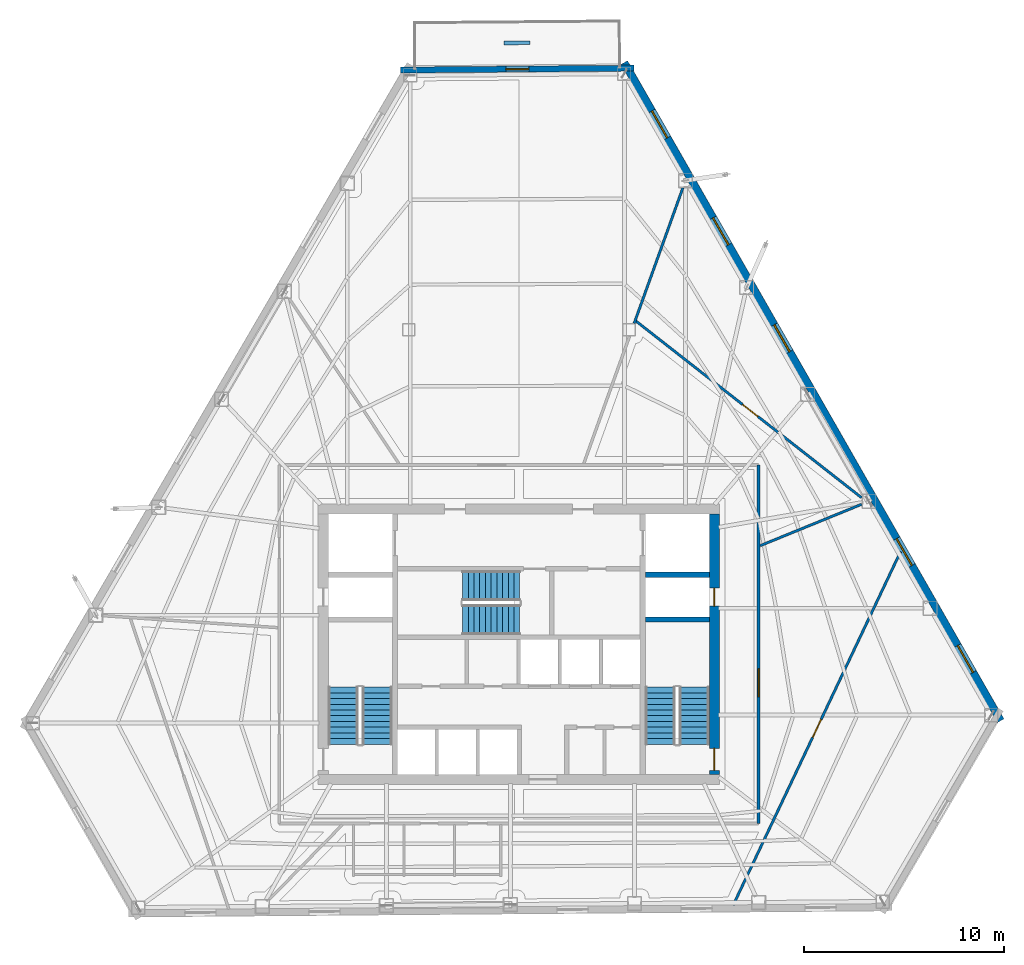
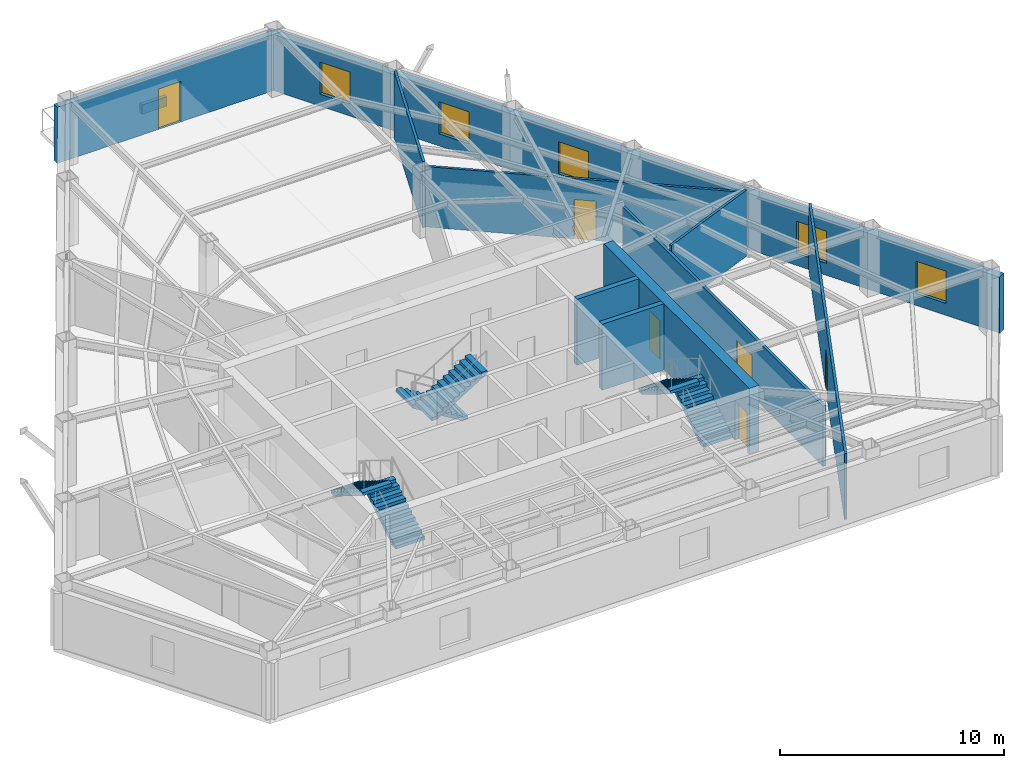
# One storey, part 10 of 12: 11 walls, 6 doors, 6 stair flights, 5 windows, 11 openings, 3 elements without a shape of their own.
"""IFC4 building model written with IfcOpenShell, lengths in metres."""

from ifc_helpers import new_model, si_unit, direction, frame, frame_2d, origin, place, context, subcontext, project, spatial, polyline, rectangle, outline, extrude, material, layer, layer_set, type_object, element, fill, aggregate, save


model = new_model("IFC4")

# Units and contexts
model_context = context("Model", 3, precision=1e-05, world=origin(), true_north=direction((0.0, 1.0)))
body_context = subcontext(model_context, "Body", "Model", "MODEL_VIEW")
ifc_project = project(units=[si_unit("LENGTHUNIT", "METRE"), si_unit("AREAUNIT", "SQUARE_METRE"), si_unit("VOLUMEUNIT", "CUBIC_METRE"), si_unit("PLANEANGLEUNIT", "RADIAN"), si_unit("MASSUNIT", "GRAM", prefix="KILO")], contexts=[model_context])

# Site, building, storey
site_placement = place(None, origin())
site = spatial("IfcSite", under=ifc_project, at=site_placement, CompositionType="ELEMENT")
building_placement = place(site_placement, origin())
building = spatial("IfcBuilding", under=site, at=building_placement, Name="Kavelnor Concourse Tower", CompositionType="ELEMENT")
storey_placement = place(building_placement, frame((0.0, 0.0, 147.10009765625)))
storey = spatial("IfcBuildingStorey", under=building, at=storey_placement, Name="L37", CompositionType="ELEMENT", Elevation=147.10009765625)

# Wall, openings, doors
ifc_material_1 = material(Name="Concrete C60/75", Category="concrete")
ifc_layer_1 = layer(ifc_material_1, 0.5, Name="Concrete C60/75")
ifc_layer_set_1 = layer_set([ifc_layer_1], Name="Concrete C60/75")
wall_type_1 = type_object("IfcWallType", Name="WL-CORE-Z2-500", PredefinedType="SOLIDWALL", material=ifc_layer_set_1)
wall_1_placement = place(storey_placement, frame((47.77001953125, 9.60009765625, 0.0), z_axis=(0.0, 0.0, 1.0), x_axis=(0.0, 1.0, 0.0)))
wall_1 = element("IfcWall", 1, at=wall_1_placement, inside=storey, type_object=wall_type_1, Name="L37 Central Core East Shear Wall", PredefinedType="SOLIDWALL", context=body_context, shape_type="SweptSolid", body=[
    extrude(rectangle(XDim=13.0, YDim=0.5, at=frame_2d((6.5, 0.0))), origin(), (0.0, 0.0, 1.0), 3.599853515625),
])
opening_1_placement = place(wall_1_placement, frame((0.199951171875, 0.0, 0.0)))
opening_1 = element("IfcOpeningElement", 2, at=opening_1_placement, cuts=wall_1, Name="Opening FD-110", PredefinedType="OPENING", context=body_context, shape_type="SweptSolid", body=[
    extrude(rectangle(XDim=1.10009765625, YDim=2.14990234375, at=frame_2d((0.550048828125, 1.074951171875))), frame((0.0, 0.260009765625, 0.0), z_axis=(0.0, -1.0, 0.0), x_axis=(1.0, 0.0, 0.0)), (0.0, 0.0, 1.0), 0.52001953125),
])
opening_2_placement = place(wall_1_placement, frame((8.39990234375, 0.0, 0.0)))
opening_2 = element("IfcOpeningElement", 3, at=opening_2_placement, cuts=wall_1, Name="Opening FD-090", PredefinedType="OPENING", context=body_context, shape_type="SweptSolid", body=[
    extrude(rectangle(XDim=0.89990234375, YDim=2.10009765625, at=frame_2d((0.449951171875, 1.050048828125))), frame((0.0, 0.260009765625, 0.0), z_axis=(0.0, -1.0, 0.0), x_axis=(1.0, 0.0, 0.0)), (0.0, 0.0, 1.0), 0.52001953125),
])
ifc_material_2 = material(Name="Steel Grade 350", Category="steel")
door_type_1 = type_object("IfcDoorType", Name="DR-RISER-FIRE-900", OperationType="NOTDEFINED", PredefinedType="DOOR", material=ifc_material_2)
door_1_placement = place(opening_2_placement, origin())
door_1 = element("IfcDoor", 4, at=door_1_placement, inside=storey, type_object=door_type_1, Name="L37 East Riser Access Door", OperationType="SINGLE_SWING_LEFT", OverallHeight=2.10009765625, OverallWidth=0.89990234375, PredefinedType="DOOR", context=body_context, shape_type="SweptSolid", body=[
    extrude(rectangle(XDim=0.89990234375, YDim=2.10009765625, at=frame_2d((0.449951171875, 1.050048828125))), frame((0.0, 0.02490234375, 0.0), z_axis=(0.0, -1.0, 0.0), x_axis=(1.0, 0.0, 0.0)), (0.0, 0.0, 1.0), 0.050048828125),
])
fill(opening_2, door_1)
door_type_2 = type_object("IfcDoorType", Name="DR-STAIR-FIRE-1100", OperationType="NOTDEFINED", PredefinedType="DOOR", material=ifc_material_2)
door_2_placement = place(opening_1_placement, origin())
door_2 = element("IfcDoor", 5, at=door_2_placement, inside=storey, type_object=door_type_2, Name="L37 Stair ST2 Fire Door", OperationType="SINGLE_SWING_RIGHT", OverallHeight=2.14990234375, OverallWidth=1.10009765625, PredefinedType="DOOR", context=body_context, shape_type="SweptSolid", body=[
    extrude(rectangle(XDim=1.10009765625, YDim=2.14990234375, at=frame_2d((0.550048828125, 1.074951171875))), frame((0.0, 0.02490234375, 0.0), z_axis=(0.0, -1.0, 0.0), x_axis=(1.0, 0.0, 0.0)), (0.0, 0.0, 1.0), 0.050048828125),
])
fill(opening_1, door_2)

# Wall, opening, door
ifc_material_3 = material(Name="Buff ironspot clay face brick masonry", Category="masonry")
ifc_layer_2 = layer(ifc_material_3, 0.300048828125, Name="Buff ironspot clay face brick masonry")
ifc_layer_set_2 = layer_set([ifc_layer_2], Name="Buff ironspot clay face brick masonry")
wall_type_2 = type_object("IfcWallType", Name="WL-EXT-BUFF-BRICK-FOLD-300", PredefinedType="STANDARD", material=ifc_layer_set_2)
wall_2_placement = place(storey_placement, frame((32.0986328125, 44.77490234375, 0.0), z_axis=(0.0, 0.0, 1.0), x_axis=(0.99996744793, 0.008068647933, 0.0)))
wall_2 = element("IfcWall", 6, at=wall_2_placement, inside=storey, type_object=wall_type_2, Name="L37 Exterior Brick Facade Wall E0", PredefinedType="STANDARD", context=body_context, shape_type="SweptSolid", body=[
    extrude(rectangle(XDim=11.6494140625, YDim=0.300048828125, at=frame_2d((5.82470703125, 0.0))), origin(), (0.0, 0.0, 1.0), 3.058837890625),
])
opening_3_placement = place(wall_2_placement, frame((5.24951171875, 0.0, 0.0)))
opening_3 = element("IfcOpeningElement", 7, at=opening_3_placement, cuts=wall_2, Name="Opening TD-115", PredefinedType="OPENING", context=body_context, shape_type="SweptSolid", body=[
    extrude(rectangle(XDim=1.14990234375, YDim=2.199951171875, at=frame_2d((0.574951171875, 1.10009765625))), frame((0.0, 0.16015625, 0.0), z_axis=(0.0, -1.0, 0.0), x_axis=(1.0, 0.0, 0.0)), (0.0, 0.0, 1.0), 0.320068359375),
])
ifc_material_4 = material(Name="Anodised aluminium 6063-T6", Category="aluminium")
door_type_3 = type_object("IfcDoorType", Name="DR-TERRACE-EXT-1150", OperationType="NOTDEFINED", PredefinedType="DOOR", material=ifc_material_4)
door_3_placement = place(opening_3_placement, origin())
door_3 = element("IfcDoor", 8, at=door_3_placement, inside=storey, type_object=door_type_3, Name="L37 Spiral Sky Terrace Access Door", OperationType="SINGLE_SWING_RIGHT", OverallHeight=2.199951171875, OverallWidth=1.14990234375, PredefinedType="DOOR", context=body_context, shape_type="SweptSolid", body=[
    extrude(rectangle(XDim=1.14990234375, YDim=2.199951171875, at=frame_2d((0.574951171875, 1.10009765625))), frame((0.0, 0.02490234375, 0.0), z_axis=(0.0, -1.0, 0.0), x_axis=(1.0, 0.0, 0.0)), (0.0, 0.0, 1.0), 0.050048828125),
])
fill(opening_3, door_3)

# Wall, openings, windows
ifc_material_5 = material(Name="Red-ochre clay face brick masonry", Category="masonry")
ifc_layer_3 = layer(ifc_material_5, 0.3798828125, Name="Red-ochre clay face brick masonry")
ifc_layer_set_3 = layer_set([ifc_layer_3], Name="Red-ochre clay face brick masonry")
wall_type_3 = type_object("IfcWallType", Name="WL-EXT-RED-BRICK-PIER-380", PredefinedType="STANDARD", material=ifc_layer_set_3)
wall_3_placement = place(storey_placement, frame((43.26416015625, 45.146484375, 0.0), z_axis=(0.0, 0.0, 1.0), x_axis=(0.496479799544, -0.868048275527, 0.0)))
wall_3 = element("IfcWall", 9, at=wall_3_placement, inside=storey, type_object=wall_type_3, Name="L37 Exterior Brick Facade Wall E5", PredefinedType="STANDARD", context=body_context, shape_type="SweptSolid", body=[
    extrude(rectangle(XDim=37.86865234375, YDim=0.3798828125, at=frame_2d((18.934326171875, 0.0))), origin(), (0.0, 0.0, 1.0), 3.058837890625),
])
opening_4_placement = place(wall_3_placement, frame((33.54052734375, 0.0, 0.64990234375)))
opening_4 = element("IfcOpeningElement", 10, at=opening_4_placement, cuts=wall_3, Name="Opening W-02", PredefinedType="OPENING", context=body_context, shape_type="SweptSolid", body=[
    extrude(rectangle(XDim=1.550048828125, YDim=1.75, at=frame_2d((0.77490234375, 0.875))), frame((0.0, 0.199951171875, 0.0), z_axis=(0.0, -1.0, 0.0), x_axis=(1.0, 0.0, 0.0)), (0.0, 0.0, 1.0), 0.39990234375),
])
opening_5_placement = place(wall_3_placement, frame((27.388916015625, 0.0, 0.64990234375)))
opening_5 = element("IfcOpeningElement", 11, at=opening_5_placement, cuts=wall_3, Name="Opening W-02", PredefinedType="OPENING", context=body_context, shape_type="SweptSolid", body=[
    extrude(rectangle(XDim=1.550048828125, YDim=1.75, at=frame_2d((0.77490234375, 0.875))), frame((0.0, 0.199951171875, 0.0), z_axis=(0.0, -1.0, 0.0), x_axis=(1.0, 0.0, 0.0)), (0.0, 0.0, 1.0), 0.39990234375),
])
opening_6_placement = place(wall_3_placement, frame((15.08544921875, 0.0, 0.64990234375)))
opening_6 = element("IfcOpeningElement", 12, at=opening_6_placement, cuts=wall_3, Name="Opening W-02", PredefinedType="OPENING", context=body_context, shape_type="SweptSolid", body=[
    extrude(rectangle(XDim=1.550048828125, YDim=1.75, at=frame_2d((0.77490234375, 0.875))), frame((0.0, 0.199951171875, 0.0), z_axis=(0.0, -1.0, 0.0), x_axis=(1.0, 0.0, 0.0)), (0.0, 0.0, 1.0), 0.39990234375),
])
opening_7_placement = place(wall_3_placement, frame((8.93359375, 0.0, 0.64990234375)))
opening_7 = element("IfcOpeningElement", 13, at=opening_7_placement, cuts=wall_3, Name="Opening W-02", PredefinedType="OPENING", context=body_context, shape_type="SweptSolid", body=[
    extrude(rectangle(XDim=1.550048828125, YDim=1.75, at=frame_2d((0.77490234375, 0.875))), frame((0.0, 0.199951171875, 0.0), z_axis=(0.0, -1.0, 0.0), x_axis=(1.0, 0.0, 0.0)), (0.0, 0.0, 1.0), 0.39990234375),
])
opening_8_placement = place(wall_3_placement, frame((2.781982421875, 0.0, 0.64990234375)))
opening_8 = element("IfcOpeningElement", 14, at=opening_8_placement, cuts=wall_3, Name="Opening W-02", PredefinedType="OPENING", context=body_context, shape_type="SweptSolid", body=[
    extrude(rectangle(XDim=1.550048828125, YDim=1.75, at=frame_2d((0.77490234375, 0.875))), frame((0.0, 0.199951171875, 0.0), z_axis=(0.0, -1.0, 0.0), x_axis=(1.0, 0.0, 0.0)), (0.0, 0.0, 1.0), 0.39990234375),
])
ifc_material_6 = material(Name="Double low-E argon insulated glazing", Category="glass")
window_type = type_object("IfcWindowType", Name="WIN-PIER-Z2-1650", PartitioningType="SINGLE_PANEL", PredefinedType="WINDOW", material=ifc_material_6)
window_1_placement = place(opening_4_placement, origin())
window_1 = element("IfcWindow", 15, at=window_1_placement, inside=storey, type_object=window_type, Name="L37 Deep-Set Brick Pier Window F2-B0", OverallHeight=1.75, OverallWidth=1.550048828125, PartitioningType="SINGLE_PANEL", PredefinedType="WINDOW", context=body_context, shape_type="SweptSolid", body=[
    extrude(rectangle(XDim=1.550048828125, YDim=1.75, at=frame_2d((0.77490234375, 0.875))), frame((0.0, 0.030029296875, 0.0), z_axis=(0.0, -1.0, 0.0), x_axis=(1.0, 0.0, 0.0)), (0.0, 0.0, 1.0), 0.06005859375),
])
fill(opening_4, window_1)
window_2_placement = place(opening_5_placement, origin())
window_2 = element("IfcWindow", 16, at=window_2_placement, inside=storey, type_object=window_type, Name="L37 Deep-Set Brick Pier Window F2-B1", OverallHeight=1.75, OverallWidth=1.550048828125, PartitioningType="SINGLE_PANEL", PredefinedType="WINDOW", context=body_context, shape_type="SweptSolid", body=[
    extrude(rectangle(XDim=1.550048828125, YDim=1.75, at=frame_2d((0.77490234375, 0.875))), frame((0.0, 0.030029296875, 0.0), z_axis=(0.0, -1.0, 0.0), x_axis=(1.0, 0.0, 0.0)), (0.0, 0.0, 1.0), 0.06005859375),
])
fill(opening_5, window_2)
window_3_placement = place(opening_6_placement, origin())
window_3 = element("IfcWindow", 17, at=window_3_placement, inside=storey, type_object=window_type, Name="L37 Deep-Set Brick Pier Window F2-B3", OverallHeight=1.75, OverallWidth=1.550048828125, PartitioningType="SINGLE_PANEL", PredefinedType="WINDOW", context=body_context, shape_type="SweptSolid", body=[
    extrude(rectangle(XDim=1.550048828125, YDim=1.75, at=frame_2d((0.77490234375, 0.875))), frame((0.0, 0.030029296875, 0.0), z_axis=(0.0, -1.0, 0.0), x_axis=(1.0, 0.0, 0.0)), (0.0, 0.0, 1.0), 0.06005859375),
])
fill(opening_6, window_3)
window_4_placement = place(opening_7_placement, origin())
window_4 = element("IfcWindow", 18, at=window_4_placement, inside=storey, type_object=window_type, Name="L37 Deep-Set Brick Pier Window F2-B4", OverallHeight=1.75, OverallWidth=1.550048828125, PartitioningType="SINGLE_PANEL", PredefinedType="WINDOW", context=body_context, shape_type="SweptSolid", body=[
    extrude(rectangle(XDim=1.550048828125, YDim=1.75, at=frame_2d((0.77490234375, 0.875))), frame((0.0, 0.030029296875, 0.0), z_axis=(0.0, -1.0, 0.0), x_axis=(1.0, 0.0, 0.0)), (0.0, 0.0, 1.0), 0.06005859375),
])
fill(opening_7, window_4)
window_5_placement = place(opening_8_placement, origin())
window_5 = element("IfcWindow", 19, at=window_5_placement, inside=storey, type_object=window_type, Name="L37 Deep-Set Brick Pier Window F2-B5", OverallHeight=1.75, OverallWidth=1.550048828125, PartitioningType="SINGLE_PANEL", PredefinedType="WINDOW", context=body_context, shape_type="SweptSolid", body=[
    extrude(rectangle(XDim=1.550048828125, YDim=1.75, at=frame_2d((0.77490234375, 0.875))), frame((0.0, 0.030029296875, 0.0), z_axis=(0.0, -1.0, 0.0), x_axis=(1.0, 0.0, 0.0)), (0.0, 0.0, 1.0), 0.06005859375),
])
fill(opening_8, window_5)

# Wall, opening, door
ifc_material_7 = material(Name="Gypsum plasterboard on light-gauge steel studs", Category="steel")
ifc_layer_4 = layer(ifc_material_7, 0.14501953125, Name="Gypsum plasterboard on light-gauge steel studs")
ifc_layer_set_4 = layer_set([ifc_layer_4], Name="Gypsum plasterboard on light-gauge steel studs")
wall_type_4 = type_object("IfcWallType", Name="WL-INT-CORR-145", PredefinedType="PARTITIONING", material=ifc_layer_set_4)
wall_4_placement = place(storey_placement, frame((49.969970703125, 7.14990234375, 0.0), z_axis=(0.0, 0.0, 1.0), x_axis=(0.0, 1.0, 0.0)))
wall_4 = element("IfcWall", 20, at=wall_4_placement, inside=storey, type_object=wall_type_4, Name="L37 Corridor Wall WL-L37-CR-01", PredefinedType="PARTITIONING", context=body_context, shape_type="SweptSolid", body=[
    extrude(rectangle(XDim=17.900146484375, YDim=0.14501953125, at=frame_2d((8.9501953125, 0.0))), origin(), (0.0, 0.0, 1.0), 3.287841796875),
])
opening_9_placement = place(wall_4_placement, frame((6.31689453125, 0.0, 0.0)))
opening_9 = element("IfcOpeningElement", 21, at=opening_9_placement, cuts=wall_4, Name="Opening SD-140", PredefinedType="OPENING", context=body_context, shape_type="SweptSolid", body=[
    extrude(rectangle(XDim=1.39990234375, YDim=2.199951171875, at=frame_2d((0.699951171875, 1.10009765625))), frame((0.0, 0.08251953125, 0.0), z_axis=(0.0, -1.0, 0.0), x_axis=(1.0, 0.0, 0.0)), (0.0, 0.0, 1.0), 0.1650390625),
])
ifc_material_8 = material(Name="Solid-core hardwood timber", Category="wood")
door_type_4 = type_object("IfcDoorType", Name="DR-SUITE-ENTRY-1400", OperationType="NOTDEFINED", PredefinedType="DOOR", material=ifc_material_8)
door_4_placement = place(opening_9_placement, origin())
door_4 = element("IfcDoor", 22, at=door_4_placement, inside=storey, type_object=door_type_4, Name="L37 Architectural Design Studio 07 Door", OperationType="SINGLE_SWING_LEFT", OverallHeight=2.199951171875, OverallWidth=1.39990234375, PredefinedType="DOOR", context=body_context, shape_type="SweptSolid", body=[
    extrude(rectangle(XDim=1.39990234375, YDim=2.199951171875, at=frame_2d((0.699951171875, 1.10009765625))), frame((0.0, 0.02490234375, 0.0), z_axis=(0.0, -1.0, 0.0), x_axis=(1.0, 0.0, 0.0)), (0.0, 0.0, 1.0), 0.050048828125),
])
fill(opening_9, door_4)

# Walls
ifc_layer_5 = layer(ifc_material_7, 0.125, Name="Gypsum plasterboard on light-gauge steel studs")
ifc_layer_set_5 = layer_set([ifc_layer_5], Name="Gypsum plasterboard on light-gauge steel studs")
wall_type_5 = type_object("IfcWallType", Name="WL-INT-SUITE-125", PredefinedType="PARTITIONING", material=ifc_layer_set_5)
wall_5_placement = place(storey_placement, frame((50.050537109375, 21.01708984375, 0.0), z_axis=(0.0, 0.0, 1.0), x_axis=(0.925879176325, 0.37781973327, 0.0)))
element("IfcWall", 23, at=wall_5_placement, inside=storey, type_object=wall_type_5, Name="L37 Radial Suite Partition 01", PredefinedType="PARTITIONING", context=body_context, shape_type="SweptSolid", body=[
    extrude(rectangle(XDim=5.472412109375, YDim=0.125, at=frame_2d((2.736328125, 0.0))), origin(), (0.0, 0.0, 1.0), 3.599853515625),
])
wall_6_placement = place(storey_placement, frame((43.76123046875, 32.1279296875, 0.0), z_axis=(0.0, 0.0, 1.0), x_axis=(0.338249995955, 0.941056289622, 0.0)))
element("IfcWall", 24, at=wall_6_placement, inside=storey, type_object=wall_type_5, Name="L37 Radial Suite Partition 02", PredefinedType="PARTITIONING", context=body_context, shape_type="SweptSolid", body=[
    extrude(rectangle(XDim=7.182373046875, YDim=0.125, at=frame_2d((3.59130859375, 0.0))), origin(), (0.0, 0.0, 1.0), 3.599853515625),
])

# Wall, opening, door
wall_7_placement = place(storey_placement, frame((55.117431640625, 23.415771484375, 0.0), z_axis=(0.0, 0.0, 1.0), x_axis=(-0.787472312848, 0.61635002758, 0.0)))
wall_7 = element("IfcWall", 25, at=wall_7_placement, inside=storey, type_object=wall_type_5, Name="L37 Suite Subdivision Partition 01", PredefinedType="PARTITIONING", context=body_context, shape_type="SweptSolid", body=[
    extrude(rectangle(XDim=14.342529296875, YDim=0.125, at=frame_2d((7.17138671875, 0.0))), origin(), (0.0, 0.0, 1.0), 3.287841796875),
])
opening_10_placement = place(wall_7_placement, frame((6.572021484375, 0.0, 0.0)))
opening_10 = element("IfcOpeningElement", 26, at=opening_10_placement, cuts=wall_7, Name="Opening OD-098", PredefinedType="OPENING", context=body_context, shape_type="SweptSolid", body=[
    extrude(rectangle(XDim=0.97998046875, YDim=2.14990234375, at=frame_2d((0.489990234375, 1.074951171875))), frame((0.0, 0.072509765625, 0.0), z_axis=(0.0, -1.0, 0.0), x_axis=(1.0, 0.0, 0.0)), (0.0, 0.0, 1.0), 0.14501953125),
])
door_type_5 = type_object("IfcDoorType", Name="DR-OFFICE-980", OperationType="NOTDEFINED", PredefinedType="DOOR", material=ifc_material_8)
door_5_placement = place(opening_10_placement, origin())
door_5 = element("IfcDoor", 27, at=door_5_placement, inside=storey, type_object=door_type_5, Name="L37 Technical Reference Library 02 Door", OperationType="SINGLE_SWING_RIGHT", OverallHeight=2.14990234375, OverallWidth=0.97998046875, PredefinedType="DOOR", context=body_context, shape_type="SweptSolid", body=[
    extrude(rectangle(XDim=0.97998046875, YDim=2.14990234375, at=frame_2d((0.489990234375, 1.074951171875))), frame((0.0, 0.02490234375, 0.0), z_axis=(0.0, -1.0, 0.0), x_axis=(1.0, 0.0, 0.0)), (0.0, 0.0, 1.0), 0.050048828125),
])
fill(opening_10, door_5)

wall_8_placement = place(storey_placement, frame((48.704345703125, 3.06298828125, 0.0), z_axis=(0.0, 0.0, 1.0), x_axis=(0.427883254749, 0.903834011478, 0.0)))
wall_8 = element("IfcWall", 28, at=wall_8_placement, inside=storey, type_object=wall_type_5, Name="L37 Suite Subdivision Partition 05", PredefinedType="PARTITIONING", context=body_context, shape_type="SweptSolid", body=[
    extrude(rectangle(XDim=19.5341796875, YDim=0.125, at=frame_2d((9.76708984375, 0.0))), origin(), (0.0, 0.0, 1.0), 3.599853515625),
])
opening_11_placement = place(wall_8_placement, frame((9.277099609375, 0.0, 0.0)))
opening_11 = element("IfcOpeningElement", 29, at=opening_11_placement, cuts=wall_8, Name="Opening OD-098", PredefinedType="OPENING", context=body_context, shape_type="SweptSolid", body=[
    extrude(rectangle(XDim=0.97998046875, YDim=2.14990234375, at=frame_2d((0.489990234375, 1.074951171875))), frame((0.0, 0.072509765625, 0.0), z_axis=(0.0, -1.0, 0.0), x_axis=(1.0, 0.0, 0.0)), (0.0, 0.0, 1.0), 0.14501953125),
])
door_6_placement = place(opening_11_placement, origin())
door_6 = element("IfcDoor", 30, at=door_6_placement, inside=storey, type_object=door_type_5, Name="L37 Technical Reference Library 08 Door", OperationType="SINGLE_SWING_RIGHT", OverallHeight=2.14990234375, OverallWidth=0.97998046875, PredefinedType="DOOR", context=body_context, shape_type="SweptSolid", body=[
    extrude(rectangle(XDim=0.97998046875, YDim=2.14990234375, at=frame_2d((0.489990234375, 1.074951171875))), frame((0.0, 0.02490234375, 0.0), z_axis=(0.0, -1.0, 0.0), x_axis=(1.0, 0.0, 0.0)), (0.0, 0.0, 1.0), 0.050048828125),
])
fill(opening_11, door_6)

# Walls
ifc_material_9 = material(Name="Architectural precast planter concrete C40/50", Category="concrete")
ifc_layer_6 = layer(ifc_material_9, 0.18994140625, Name="Architectural precast planter concrete C40/50")
ifc_layer_set_6 = layer_set([ifc_layer_6], Name="Architectural precast planter concrete C40/50")
wall_type_6 = type_object("IfcWallType", Name="WL-PLANTER-KERB-190", PredefinedType="USERDEFINED", material=ifc_layer_set_6)
wall_9_placement = place(storey_placement, frame((38.5625, 46.136962890625, 0.0), z_axis=(0.0, 0.0, 1.0), x_axis=(-0.999967397834, -0.008074854105, 0.0)))
element("IfcWall", 31, at=wall_9_placement, inside=storey, type_object=wall_type_6, Name="L37 Spiral Terrace Landscaped Planter Kerb", ObjectType="PLANTER", PredefinedType="USERDEFINED", context=body_context, shape_type="SweptSolid", body=[
    extrude(rectangle(XDim=1.300048828125, YDim=0.18994140625, at=frame_2d((0.64990234375, 0.0))), origin(), (0.0, 0.0, 1.0), 0.52001953125),
])
ifc_material_10 = material(Name="Concrete C50/60", Category="concrete")
ifc_layer_7 = layer(ifc_material_10, 0.260009765625, Name="Concrete C50/60")
ifc_layer_set_7 = layer_set([ifc_layer_7], Name="Concrete C50/60")
wall_type_7 = type_object("IfcWallType", Name="WL-SHAFT-260", PredefinedType="SHEAR", material=ifc_layer_set_7)
for number, where, z_axis, x_axis, name in (
    (32, (44.320068359375, 17.330078125, 0.0), (0.0, 0.0, 1.0), (1.0, 0.0, 0.0), "L37 Stair ST2 North Shaft Wall"),
    (33, (44.320068359375, 19.570068359375, 0.0), (0.0, 0.0, 1.0), (1.0, 0.0, 0.0), "L37 Emergency Lift FL2 South Shaft Wall"),
):
    element("IfcWall", number, at=place(storey_placement, frame(where, z_axis=z_axis, x_axis=x_axis)), inside=storey, type_object=wall_type_7, Name=name, PredefinedType="SHEAR", context=body_context, shape_type="SweptSolid", body=[
        extrude(rectangle(XDim=3.199951171875, YDim=0.260009765625, at=frame_2d((1.60009765625, 0.0))), origin(), (0.0, 0.0, 1.0), 3.599853515625),
    ])

# Stair, stair flights
ifc_material_11 = material(Name="Concrete C40/50", Category="concrete")
stair_type = type_object("IfcStairType", Name="STR-CORE-1500", PredefinedType="HALF_TURN_STAIR", material=ifc_material_11)
stair_1_placement = place(storey_placement, origin())
stair_1 = element("IfcStair", 34, at=stair_1_placement, inside=storey, type_object=stair_type, Name="L37 ST1", PredefinedType="HALF_TURN_STAIR")
stair_flight_type = type_object("IfcStairFlightType", Name="STR-FLIGHT-1500", PredefinedType="STRAIGHT", material=ifc_material_11)
stair_flight_1_placement = place(storey_placement, frame((30.929931640625, 11.10009765625, 0.0), z_axis=(0.0, 0.0, 1.0), x_axis=(0.0, 1.0, 0.0)))
stair_flight_1 = element("IfcStairFlight", 35, at=stair_flight_1_placement, type_object=stair_flight_type, Name="ST1 flight 1", NumberOfRisers=11, NumberOfTreads=10, PredefinedType="STRAIGHT", RiserHeight=0.175, TreadLength=0.285, context=body_context, shape_type="SweptSolid", body=[
    extrude(outline(polyline([(0.0, 0.0), (0.0, 0.175048828125), (0.284912109375, 0.175048828125), (0.284912109375, 0.35009765625), (0.570068359375, 0.35009765625), (0.570068359375, 0.52490234375), (0.85498046875, 0.52490234375), (0.85498046875, 0.699951171875), (1.139892578125, 0.699951171875), (1.139892578125, 0.875), (1.425048828125, 0.875), (1.425048828125, 1.050048828125), (1.7099609375, 1.050048828125), (1.7099609375, 1.22509765625), (1.9951171875, 1.22509765625), (1.9951171875, 1.39990234375), (2.280029296875, 1.39990234375), (2.280029296875, 1.574951171875), (2.56494140625, 1.574951171875), (2.56494140625, 1.75), (2.85009765625, 1.75), (2.85009765625, 1.925048828125), (2.85009765625, 1.573974609375), (0.286376953125, 0.0), (0.0, 0.0)])), frame((0.0, 0.75, 0.0), z_axis=(0.0, -1.0, 0.0), x_axis=(1.0, 0.0, 0.0)), (0.0, 0.0, 1.0), 1.5),
])
stair_flight_2_placement = place(storey_placement, frame((29.22998046875, 13.949951171875, 1.9248046875), z_axis=(0.0, 0.0, 1.0), x_axis=(0.0, -1.0, 0.0)))
stair_flight_2 = element("IfcStairFlight", 36, at=stair_flight_2_placement, type_object=stair_flight_type, Name="ST1 flight 2", NumberOfRisers=11, NumberOfTreads=10, PredefinedType="STRAIGHT", RiserHeight=0.175, TreadLength=0.285, context=body_context, shape_type="SweptSolid", body=[
    extrude(outline(polyline([(0.0, 0.0), (0.0, 0.175048828125), (0.284912109375, 0.175048828125), (0.284912109375, 0.35009765625), (0.570068359375, 0.35009765625), (0.570068359375, 0.52490234375), (0.85498046875, 0.52490234375), (0.85498046875, 0.699951171875), (1.139892578125, 0.699951171875), (1.139892578125, 0.875), (1.425048828125, 0.875), (1.425048828125, 1.050048828125), (1.7099609375, 1.050048828125), (1.7099609375, 1.22509765625), (1.9951171875, 1.22509765625), (1.9951171875, 1.39990234375), (2.280029296875, 1.39990234375), (2.280029296875, 1.574951171875), (2.56494140625, 1.574951171875), (2.56494140625, 1.75), (2.85009765625, 1.75), (2.85009765625, 1.925048828125), (2.85009765625, 1.573974609375), (0.286376953125, 0.0), (0.0, 0.0)])), frame((0.0, 0.75, 0.0), z_axis=(0.0, -1.0, 0.0), x_axis=(1.0, 0.0, 0.0)), (0.0, 0.0, 1.0), 1.5),
])
aggregate(stair_1, [stair_flight_1, stair_flight_2])

stair_2_placement = place(storey_placement, origin())
stair_2 = element("IfcStair", 37, at=stair_2_placement, inside=storey, type_object=stair_type, Name="L37 ST2", PredefinedType="HALF_TURN_STAIR")
stair_flight_3_placement = place(storey_placement, frame((46.77001953125, 11.10009765625, 0.0), z_axis=(0.0, 0.0, 1.0), x_axis=(0.0, 1.0, 0.0)))
stair_flight_3 = element("IfcStairFlight", 38, at=stair_flight_3_placement, type_object=stair_flight_type, Name="ST2 flight 1", NumberOfRisers=11, NumberOfTreads=10, PredefinedType="STRAIGHT", RiserHeight=0.175, TreadLength=0.285, context=body_context, shape_type="SweptSolid", body=[
    extrude(outline(polyline([(0.0, 0.0), (0.0, 0.175048828125), (0.284912109375, 0.175048828125), (0.284912109375, 0.35009765625), (0.570068359375, 0.35009765625), (0.570068359375, 0.52490234375), (0.85498046875, 0.52490234375), (0.85498046875, 0.699951171875), (1.139892578125, 0.699951171875), (1.139892578125, 0.875), (1.425048828125, 0.875), (1.425048828125, 1.050048828125), (1.7099609375, 1.050048828125), (1.7099609375, 1.22509765625), (1.9951171875, 1.22509765625), (1.9951171875, 1.39990234375), (2.280029296875, 1.39990234375), (2.280029296875, 1.574951171875), (2.56494140625, 1.574951171875), (2.56494140625, 1.75), (2.85009765625, 1.75), (2.85009765625, 1.925048828125), (2.85009765625, 1.573974609375), (0.286376953125, 0.0), (0.0, 0.0)])), frame((0.0, 0.75, 0.0), z_axis=(0.0, -1.0, 0.0), x_axis=(1.0, 0.0, 0.0)), (0.0, 0.0, 1.0), 1.5),
])
stair_flight_4_placement = place(storey_placement, frame((45.070068359375, 13.949951171875, 1.9248046875), z_axis=(0.0, 0.0, 1.0), x_axis=(0.0, -1.0, 0.0)))
stair_flight_4 = element("IfcStairFlight", 39, at=stair_flight_4_placement, type_object=stair_flight_type, Name="ST2 flight 2", NumberOfRisers=11, NumberOfTreads=10, PredefinedType="STRAIGHT", RiserHeight=0.175, TreadLength=0.285, context=body_context, shape_type="SweptSolid", body=[
    extrude(outline(polyline([(0.0, 0.0), (0.0, 0.175048828125), (0.284912109375, 0.175048828125), (0.284912109375, 0.35009765625), (0.570068359375, 0.35009765625), (0.570068359375, 0.52490234375), (0.85498046875, 0.52490234375), (0.85498046875, 0.699951171875), (1.139892578125, 0.699951171875), (1.139892578125, 0.875), (1.425048828125, 0.875), (1.425048828125, 1.050048828125), (1.7099609375, 1.050048828125), (1.7099609375, 1.22509765625), (1.9951171875, 1.22509765625), (1.9951171875, 1.39990234375), (2.280029296875, 1.39990234375), (2.280029296875, 1.574951171875), (2.56494140625, 1.574951171875), (2.56494140625, 1.75), (2.85009765625, 1.75), (2.85009765625, 1.925048828125), (2.85009765625, 1.573974609375), (0.286376953125, 0.0), (0.0, 0.0)])), frame((0.0, 0.75, 0.0), z_axis=(0.0, -1.0, 0.0), x_axis=(1.0, 0.0, 0.0)), (0.0, 0.0, 1.0), 1.5),
])
aggregate(stair_2, [stair_flight_3, stair_flight_4])

stair_3_placement = place(storey_placement, origin())
stair_3 = element("IfcStair", 40, at=stair_3_placement, inside=storey, type_object=stair_type, Name="L37 ST3", PredefinedType="HALF_TURN_STAIR")
stair_flight_5_placement = place(storey_placement, frame((38.0400390625, 19.010009765625, 0.0), z_axis=(0.0, 0.0, 1.0), x_axis=(-1.0, 0.0, 0.0)))
stair_flight_5 = element("IfcStairFlight", 41, at=stair_flight_5_placement, type_object=stair_flight_type, Name="ST3 flight 1", NumberOfRisers=11, NumberOfTreads=10, PredefinedType="STRAIGHT", RiserHeight=0.175, TreadLength=0.285, context=body_context, shape_type="SweptSolid", body=[
    extrude(outline(polyline([(0.0, 0.0), (0.0, 0.175048828125), (0.284912109375, 0.175048828125), (0.284912109375, 0.35009765625), (0.570068359375, 0.35009765625), (0.570068359375, 0.52490234375), (0.85498046875, 0.52490234375), (0.85498046875, 0.699951171875), (1.139892578125, 0.699951171875), (1.139892578125, 0.875), (1.425048828125, 0.875), (1.425048828125, 1.050048828125), (1.7099609375, 1.050048828125), (1.7099609375, 1.22509765625), (1.9951171875, 1.22509765625), (1.9951171875, 1.39990234375), (2.280029296875, 1.39990234375), (2.280029296875, 1.574951171875), (2.56494140625, 1.574951171875), (2.56494140625, 1.75), (2.85009765625, 1.75), (2.85009765625, 1.925048828125), (2.85009765625, 1.573974609375), (0.286376953125, 0.0), (0.0, 0.0)])), frame((0.0, 0.75, 0.0), z_axis=(0.0, -1.0, 0.0), x_axis=(1.0, 0.0, 0.0)), (0.0, 0.0, 1.0), 1.5),
])
stair_flight_6_placement = place(storey_placement, frame((35.18994140625, 17.31005859375, 1.9248046875), z_axis=(0.0, 0.0, 1.0), x_axis=(1.0, 0.0, 0.0)))
stair_flight_6 = element("IfcStairFlight", 42, at=stair_flight_6_placement, type_object=stair_flight_type, Name="ST3 flight 2", NumberOfRisers=11, NumberOfTreads=10, PredefinedType="STRAIGHT", RiserHeight=0.175, TreadLength=0.285, context=body_context, shape_type="SweptSolid", body=[
    extrude(outline(polyline([(0.0, 0.0), (0.0, 0.175048828125), (0.284912109375, 0.175048828125), (0.284912109375, 0.35009765625), (0.570068359375, 0.35009765625), (0.570068359375, 0.52490234375), (0.85498046875, 0.52490234375), (0.85498046875, 0.699951171875), (1.139892578125, 0.699951171875), (1.139892578125, 0.875), (1.425048828125, 0.875), (1.425048828125, 1.050048828125), (1.7099609375, 1.050048828125), (1.7099609375, 1.22509765625), (1.9951171875, 1.22509765625), (1.9951171875, 1.39990234375), (2.280029296875, 1.39990234375), (2.280029296875, 1.574951171875), (2.56494140625, 1.574951171875), (2.56494140625, 1.75), (2.85009765625, 1.75), (2.85009765625, 1.925048828125), (2.85009765625, 1.573974609375), (0.286376953125, 0.0), (0.0, 0.0)])), frame((0.0, 0.75, 0.0), z_axis=(0.0, -1.0, 0.0), x_axis=(1.0, 0.0, 0.0)), (0.0, 0.0, 1.0), 1.5),
])
aggregate(stair_3, [stair_flight_5, stair_flight_6])

save(model, "model.ifc")
